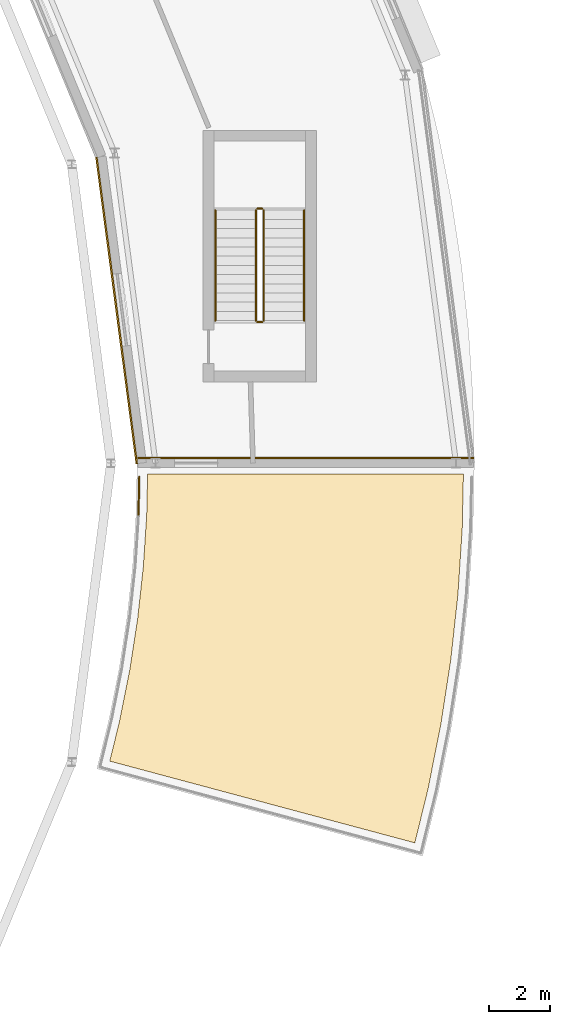
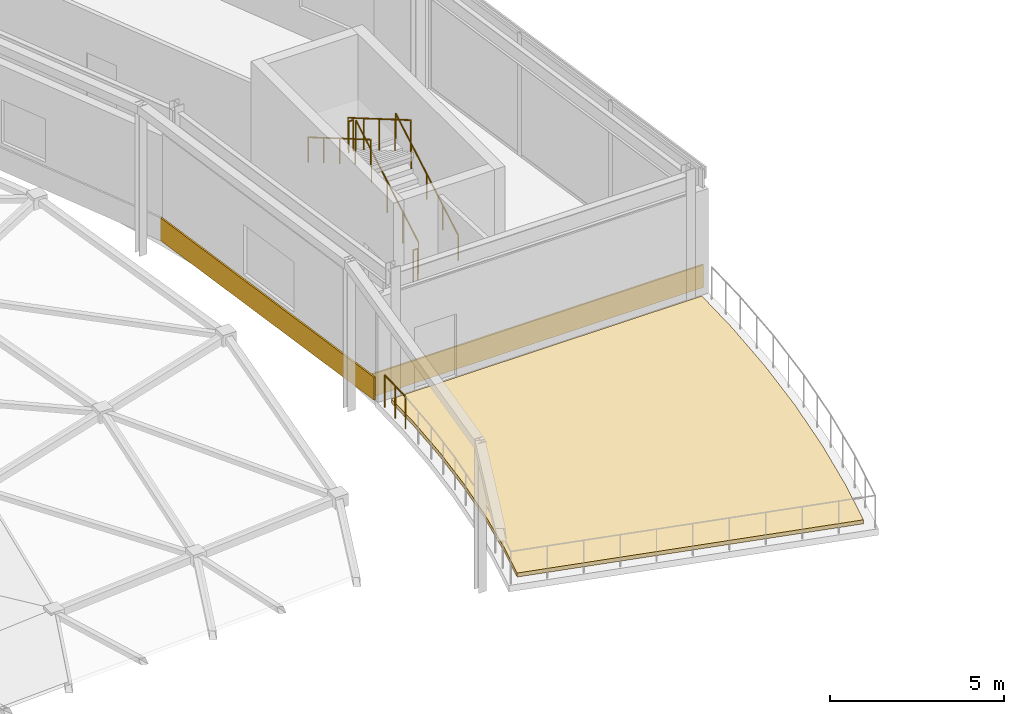
# One storey, part 77 of 89: 7 railings, 3 coverings.
"""IFC4 building model written with IfcOpenShell, lengths in metres."""

import ifcopenshell
import ifcopenshell.guid

model = None  # the IFC model being written
_history = None  # IfcOwnerHistory: only IFC2X3 demands one
_inside = {}  # id of a spatial element -> (the spatial element, [elements in it])
_under = {}  # id of a project, library or spatial element -> (it, [spatial elements below it])
_declared = {}  # id of a project -> (the project, [libraries it declares])
_typed = {}  # id of a type object -> (the type object, [elements of that type])
_made_of = {}  # id of a material, layer set ... -> (it, [elements and type objects made of it])


def new_model(schema):
    """Start an empty IFC model of exactly this schema.

    Asked for "IFC4X3", IfcOpenShell would pick the latest addendum, in which some entities
    have other attributes; the version numbers below select the first issue.
    IFC2X3 requires an IfcOwnerHistory on every rooted entity: one is made here for all.
    """
    global model, _history
    if schema == "IFC4X3":
        model = ifcopenshell.file(schema_version=(4, 3, 0, 0))
    else:
        model = ifcopenshell.file(schema=schema)
    _inside.clear()
    _under.clear()
    _declared.clear()
    _typed.clear()
    _made_of.clear()
    _history = None
    if model.schema == "IFC2X3":
        org = make("IfcOrganization", Name="unknown")
        user = make(
            "IfcPersonAndOrganization",
            ThePerson=make("IfcPerson", FamilyName="unknown"),
            TheOrganization=org,
        )
        app = make(
            "IfcApplication",
            ApplicationDeveloper=org,
            Version="unknown",
            ApplicationFullName="unknown",
            ApplicationIdentifier="unknown",
        )
        _history = make(
            "IfcOwnerHistory",
            OwningUser=user,
            OwningApplication=app,
            ChangeAction="ADDED",
            CreationDate=0,
        )
    return model


def make(cls, **values):
    """One entity of the class cls with the attributes given. An attribute that is None is left unset."""
    return model.create_entity(
        cls, **{name: value for name, value in values.items() if value is not None}
    )


def rooted(cls, **values):
    """An entity with a GlobalId (a new one), such as an element, a storey or a relation."""
    return make(cls, GlobalId=ifcopenshell.guid.new(), OwnerHistory=_history, **values)


def si_unit(unit_type, name, prefix=None):
    """IfcSIUnit, for example si_unit("LENGTHUNIT", "METRE", prefix="MILLI")."""
    return make("IfcSIUnit", UnitType=unit_type, Prefix=prefix, Name=name)


def assignment(units):
    """IfcUnitAssignment: the units of a project."""
    return None if units is None else make("IfcUnitAssignment", Units=units)


def point(xyz):
    """IfcCartesianPoint."""
    return None if xyz is None else make("IfcCartesianPoint", Coordinates=xyz)


def direction(xyz):
    """IfcDirection."""
    return None if xyz is None else make("IfcDirection", DirectionRatios=xyz)


def frame(location, z_axis=None, x_axis=None):
    """IfcAxis2Placement3D, a coordinate frame: its origin and axes. An axis left out is left unset."""
    return make(
        "IfcAxis2Placement3D",
        Location=point(location),
        Axis=direction(z_axis),
        RefDirection=direction(x_axis),
    )


def frame_2d(location, x_axis=None):
    """IfcAxis2Placement2D, a coordinate frame in the plane: its origin and x axis."""
    return make(
        "IfcAxis2Placement2D", Location=point(location), RefDirection=direction(x_axis)
    )


def origin():
    """The frame at (0, 0, 0) with its axes left unset."""
    return frame((0.0, 0.0, 0.0))


def origin_2d():
    """The frame at (0, 0) in the plane with its x axis left unset."""
    return frame_2d((0.0, 0.0))


def place(relative_to, where):
    """IfcLocalPlacement: puts the frame where relative to a parent placement (None: the world)."""
    return make(
        "IfcLocalPlacement", PlacementRelTo=relative_to, RelativePlacement=where
    )


def context(
    kind, dimensions, precision=None, world=None, true_north=None, identifier=None
):
    """IfcGeometricRepresentationContext, for example the 3D "Model" context."""
    return make(
        "IfcGeometricRepresentationContext",
        ContextIdentifier=identifier,
        ContextType=kind,
        CoordinateSpaceDimension=dimensions,
        Precision=precision,
        WorldCoordinateSystem=world,
        TrueNorth=true_north,
    )


def subcontext(parent, identifier, kind, view, scale=None):
    """IfcGeometricRepresentationSubContext, for example "Body" below "Model"."""
    return make(
        "IfcGeometricRepresentationSubContext",
        ContextIdentifier=identifier,
        ContextType=kind,
        ParentContext=parent,
        TargetScale=scale,
        TargetView=view,
    )


def project(units=None, contexts=None):
    """IfcProject with its units and contexts."""
    return rooted(
        "IfcProject",
        Name="project",
        RepresentationContexts=contexts,
        UnitsInContext=assignment(units),
    )


def spatial(cls, under=None, at=None, **own):
    """A site, building, storey or space (cls), placed at a placement, below another one or the project."""
    s = rooted(cls, ObjectPlacement=at, **own)
    if under is not None:
        _under.setdefault(under.id(), (under, []))[1].append(s)
    return s


def polyline(points):
    """IfcPolyline through the points."""
    return make("IfcPolyline", Points=[point(p) for p in points])


def profile(cls, at=None, kind="AREA", **sizes):
    """A parametric profile (cls). Its sizes go by their IFC names, for example OverallWidth=200.0."""
    return make(cls, ProfileType=kind, Position=at, **sizes)


def rectangle(**sizes):
    """IfcRectangleProfileDef."""
    return profile("IfcRectangleProfileDef", **sizes)


def circle(**sizes):
    """IfcCircleProfileDef."""
    return profile("IfcCircleProfileDef", **sizes)


def outline(outer, holes=None, kind="AREA"):
    """IfcArbitraryClosedProfileDef: a profile drawn as a closed curve; with holes, ...WithVoids."""
    if holes is None:
        return make("IfcArbitraryClosedProfileDef", ProfileType=kind, OuterCurve=outer)
    return make(
        "IfcArbitraryProfileDefWithVoids",
        ProfileType=kind,
        OuterCurve=outer,
        InnerCurves=holes,
    )


def extrude(swept, where, along, depth):
    """IfcExtrudedAreaSolid: the profile swept, set in the frame where, extruded along a direction by depth."""
    return make(
        "IfcExtrudedAreaSolid",
        SweptArea=swept,
        Position=where,
        ExtrudedDirection=direction(along),
        Depth=depth,
    )


def shape(context_of_items, identifier, shape_type, items):
    """IfcShapeRepresentation: the items that make up one representation, for example the "Body"."""
    return make(
        "IfcShapeRepresentation",
        ContextOfItems=context_of_items,
        RepresentationIdentifier=identifier,
        RepresentationType=shape_type,
        Items=items,
    )


def material(Name=None, Category=None):
    """IfcMaterial."""
    return make("IfcMaterial", Name=Name, Category=Category)


def layer(
    of_material, thickness, ventilated=None, Name=None, Category=None, Priority=None
):
    """IfcMaterialLayer: one layer of a wall or slab, of a material (None: an air gap)."""
    return make(
        "IfcMaterialLayer",
        Material=of_material,
        LayerThickness=thickness,
        IsVentilated=ventilated,
        Name=Name,
        Category=Category,
        Priority=Priority,
    )


def layer_set(layers, Name=None):
    """IfcMaterialLayerSet."""
    return make("IfcMaterialLayerSet", MaterialLayers=layers, LayerSetName=Name)


def made_of(thing, what):
    """Note that an element or type object is made of a material, layer set ...; save() writes the relation."""
    if what is not None:
        _made_of.setdefault(what.id(), (what, []))[1].append(thing)
    return thing


def type_object(cls, material=None, **own):
    """A type object (cls), such as IfcWallType, which elements share."""
    return made_of(rooted(cls, **own), material)


def element(
    cls,
    number,
    at=None,
    inside=None,
    cuts=None,
    type_object=None,
    material=None,
    context=None,
    identifier="Body",
    shape_type=None,
    held_by="IfcProductDefinitionShape",
    body=None,
    shapes=None,
    **own,
):
    """One element of the class cls, such as IfcWall. Its Tag is "e" and its number.

    at: its placement. inside: the storey or other place that contains it. cuts: it is an
    opening in that element (IfcRelVoidsElement). A single representation is given by context,
    identifier, shape_type and body (its items); several are given by shapes. held_by: the class
    of the entity that holds the representations. save() writes the other relations.
    """
    e = rooted(cls, Tag="e%d" % number, ObjectPlacement=at, **own)
    if body is not None:
        shapes = [shape(context, identifier, shape_type, body)]
    if shapes is not None:
        e.Representation = make(held_by, Representations=shapes)
    if inside is not None:
        _inside.setdefault(inside.id(), (inside, []))[1].append(e)
    if cuts is not None:
        rooted(
            "IfcRelVoidsElement", RelatingBuildingElement=cuts, RelatedOpeningElement=e
        )
    if type_object is not None:
        _typed.setdefault(type_object.id(), (type_object, []))[1].append(e)
    return made_of(e, material)


def aggregate(whole, parts):
    """IfcRelAggregates: a whole, such as a stair, and the parts it consists of."""
    return rooted("IfcRelAggregates", RelatingObject=whole, RelatedObjects=parts)


def save(model, path):
    """Write the relations noted so far, then the file.

    IfcRelAggregates (storeys below a building ...), IfcRelContainedInSpatialStructure (elements
    in a storey), IfcRelDefinesByType, IfcRelAssociatesMaterial and IfcRelDeclares: one each for
    every whole, place, type object, material and project.
    """
    for whole, parts in _under.values():
        aggregate(whole, parts)
    for where, things in _inside.values():
        rooted(
            "IfcRelContainedInSpatialStructure",
            RelatedElements=things,
            RelatingStructure=where,
        )
    for kind, things in _typed.values():
        rooted("IfcRelDefinesByType", RelatedObjects=things, RelatingType=kind)
    for what, things in _made_of.values():
        rooted("IfcRelAssociatesMaterial", RelatedObjects=things, RelatingMaterial=what)
    for by, libraries in _declared.values():
        rooted("IfcRelDeclares", RelatingContext=by, RelatedDefinitions=libraries)
    model.write(path)


model = new_model("IFC4")

# Units and contexts
model_context = context("Model", 3, precision=1e-05, world=origin(), true_north=direction((0.0, 1.0)))
body_context = subcontext(model_context, "Body", "Model", "MODEL_VIEW")
ifc_project = project(units=[si_unit("LENGTHUNIT", "METRE"), si_unit("AREAUNIT", "SQUARE_METRE"), si_unit("VOLUMEUNIT", "CUBIC_METRE"), si_unit("PLANEANGLEUNIT", "RADIAN"), si_unit("MASSUNIT", "GRAM", prefix="KILO")], contexts=[model_context])

# Site, building, storey
site_placement = place(None, origin())
site = spatial("IfcSite", under=ifc_project, at=site_placement, CompositionType="ELEMENT")
building_placement = place(site_placement, origin())
building = spatial("IfcBuilding", under=site, at=building_placement, Name="Almandine Court Research Institute", CompositionType="ELEMENT")
storey_placement = place(building_placement, frame((0.0, 0.0, 18.89990234375)))
storey = spatial("IfcBuildingStorey", under=building, at=storey_placement, Name="L04", CompositionType="ELEMENT", Elevation=18.89990234375)

# Coverings
ifc_material_1 = material(Name="Extruded Cream-Ochre Seismic Terracotta Spandrel", Category="masonry")
ifc_layer_1 = layer(ifc_material_1, 0.054931640625)
ifc_layer_set_1 = layer_set([ifc_layer_1], Name="Extruded Cream-Ochre Seismic Terracotta Spandrel")
covering_type_1 = type_object("IfcCoveringType", Name="Cov-CLAD-TERR", PredefinedType="CLADDING", material=ifc_layer_set_1)
covering_1_placement = place(storey_placement, frame((124.83203125, 60.98095703125, 0.02001953125), z_axis=(0.0, 0.0, 1.0), x_axis=(-0.13052619222, 0.991444861374, 0.0)))
element("IfcCovering", 1, at=covering_1_placement, inside=storey, type_object=covering_type_1, Name="L04 Facade Spandrel Cladding Band 403", PredefinedType="CLADDING", context=body_context, shape_type="SweptSolid", body=[
    extrude(rectangle(XDim=10.080078125, YDim=0.054931640625, at=origin_2d()), origin(), (0.0, 0.0, 1.0), 0.800048828125),
])
covering_2_placement = place(storey_placement, frame((131.0, 56.169921875, 0.02001953125), z_axis=(0.0, 0.0, 1.0), x_axis=(1.0, 0.0, 0.0)))
element("IfcCovering", 2, at=covering_2_placement, inside=storey, type_object=covering_type_1, Name="L04 Facade Spandrel Cladding Band 424", PredefinedType="CLADDING", context=body_context, shape_type="SweptSolid", body=[
    extrude(rectangle(XDim=10.951904296875, YDim=0.054931640625, at=origin_2d()), origin(), (0.0, 0.0, 1.0), 0.800048828125),
])
ifc_material_2 = material(Name="Extensive Andean Sedum Planted Green Roof Build-Up")
ifc_layer_2 = layer(ifc_material_2, 0.139892578125)
ifc_layer_set_2 = layer_set([ifc_layer_2], Name="Extensive Andean Sedum Planted Green Roof Build-Up")
covering_type_2 = type_object("IfcCoveringType", Name="Cov-ROOF-GREEN", PredefinedType="ROOFING", material=ifc_layer_set_2)
covering_3_placement = place(storey_placement, origin())
element("IfcCovering", 3, at=covering_3_placement, inside=storey, type_object=covering_type_2, Name="L04 Planted Green Roof Covering 16", PredefinedType="ROOFING", context=body_context, shape_type="SweptSolid", body=[
    extrude(outline(polyline([(134.55810546875, 43.618896484375), (124.60888671875, 46.283935546875), (124.928955078125, 47.591064453125), (125.260009765625, 49.25390625), (125.51806640625, 50.928955078125), (125.701904296875, 52.614990234375), (125.81298828125, 54.305908203125), (125.842041015625, 55.64990234375), (136.14208984375, 55.64990234375), (136.10302734375, 53.85595703125), (135.962890625, 51.716064453125), (135.72998046875, 49.5849609375), (135.403076171875, 47.465087890625), (134.985107421875, 45.362060546875), (134.55810546875, 43.618896484375)])), origin(), (0.0, 0.0, 1.0), 0.14013671875),
])

# Railings
ifc_material_3 = material(Name="Architectural Powder-Coated Aluminium Balustrade", Category="aluminium")
railing_type_1 = type_object("IfcRailingType", Name="Rail-BAL-EXT", PredefinedType="BALUSTRADE", material=ifc_material_3)
railing_1_placement = place(storey_placement, frame((125.54296875, 54.31689453125, 0.0)))
element("IfcRailing", 4, at=railing_1_placement, inside=storey, type_object=railing_type_1, Name="L04 Terrace Perimeter Balustrade 120", PredefinedType="BALUSTRADE", context=body_context, shape_type="SweptSolid", body=[
    extrude(circle(Radius=0.02392578125, at=origin_2d()), frame((0.0, 0.0, 1.1259765625), z_axis=(0.021970541805, 0.999758618514, 0.0), x_axis=(-0.999758618514, 0.021970541805, 0.0)), (0.0, 0.0, 1.0), 1.2333984375),
    extrude(circle(Radius=0.02099609375, at=origin_2d()), origin(), (0.0, 0.0, 1.0), 1.101806640625),
    extrude(circle(Radius=0.02099609375, at=origin_2d()), frame((0.013671875, 0.61669921875, 0.0)), (0.0, 0.0, 1.0), 1.101806640625),
    extrude(circle(Radius=0.02099609375, at=origin_2d()), frame((0.027099609375, 1.233154296875, 0.0)), (0.0, 0.0, 1.0), 1.101806640625),
])
ifc_material_4 = material(Name="Powder-Coated Steel Stair and Atrium Balustrade", Category="steel")
railing_type_2 = type_object("IfcRailingType", Name="Rail-GUARD-INT", PredefinedType="BALUSTRADE", material=ifc_material_4)
railing_2_placement = place(storey_placement, frame((129.6298828125, 60.64990234375, 0.175048828125)))
element("IfcRailing", 5, at=railing_2_placement, inside=storey, type_object=railing_type_2, Name="L04 ST-14 stair guard 1", PredefinedType="BALUSTRADE", context=body_context, shape_type="SweptSolid", body=[
    extrude(circle(Radius=0.02392578125, at=origin_2d()), frame((0.0, 0.0, 1.09619140625), z_axis=(0.0, 0.863774651768, 0.503878309678), x_axis=(-1.0, 0.0, 0.0)), (0.0, 0.0, 1.0), 4.16796875),
    extrude(circle(Radius=0.02099609375, at=origin_2d()), origin(), (0.0, 0.0, 1.0), 1.072021484375),
    extrude(circle(Radius=0.02099609375, at=origin_2d()), frame((0.0, 0.89990234375, 0.52490234375)), (0.0, 0.0, 1.0), 1.072021484375),
    extrude(circle(Radius=0.02099609375, at=origin_2d()), frame((0.0, 1.800048828125, 1.050048828125)), (0.0, 0.0, 1.0), 1.072021484375),
    extrude(circle(Radius=0.02099609375, at=origin_2d()), frame((0.0, 2.7001953125, 1.5751953125)), (0.0, 0.0, 1.0), 1.072021484375),
    extrude(circle(Radius=0.02099609375, at=origin_2d()), frame((0.0, 3.60009765625, 2.10009765625)), (0.0, 0.0, 1.0), 1.072021484375),
])
railing_3_placement = place(storey_placement, frame((129.580078125, 64.300048828125, 2.275146484375)))
element("IfcRailing", 6, at=railing_3_placement, inside=storey, type_object=railing_type_2, Name="L04 ST-14 stair guard 2", PredefinedType="BALUSTRADE", context=body_context, shape_type="SweptSolid", body=[
    extrude(circle(Radius=0.02392578125, at=origin_2d()), frame((0.0, 0.0, 1.09619140625), z_axis=(-1.0, 0.0, 0.0), x_axis=(0.0, -1.0, 0.0)), (0.0, 0.0, 1.0), 0.16015625),
    extrude(circle(Radius=0.02099609375, at=origin_2d()), origin(), (0.0, 0.0, 1.0), 1.072021484375),
    extrude(circle(Radius=0.02099609375, at=origin_2d()), frame((-0.16015625, 0.0, 0.0)), (0.0, 0.0, 1.0), 1.072021484375),
])
railing_4_placement = place(storey_placement, frame((129.3701171875, 64.25, 2.4501953125)))
element("IfcRailing", 7, at=railing_4_placement, inside=storey, type_object=railing_type_2, Name="L04 ST-14 stair guard 3", PredefinedType="BALUSTRADE", context=body_context, shape_type="SweptSolid", body=[
    extrude(circle(Radius=0.02392578125, at=origin_2d()), frame((0.0, 0.0, 1.09619140625), z_axis=(0.0, -0.863800146258, 0.503834603144), x_axis=(1.0, 0.0, 0.0)), (0.0, 0.0, 1.0), 4.167724609375),
    extrude(circle(Radius=0.02099609375, at=origin_2d()), origin(), (0.0, 0.0, 1.0), 1.072021484375),
    extrude(circle(Radius=0.02099609375, at=origin_2d()), frame((0.0, -0.89990234375, 0.52490234375)), (0.0, 0.0, 1.0), 1.072021484375),
    extrude(circle(Radius=0.02099609375, at=origin_2d()), frame((0.0, -1.800048828125, 1.0498046875)), (0.0, 0.0, 1.0), 1.072021484375),
    extrude(circle(Radius=0.02099609375, at=origin_2d()), frame((0.0, -2.7001953125, 1.574951171875)), (0.0, 0.0, 1.0), 1.072021484375),
    extrude(circle(Radius=0.02099609375, at=origin_2d()), frame((0.0, -3.60009765625, 2.099853515625)), (0.0, 0.0, 1.0), 1.072021484375),
])
railing_5_placement = place(storey_placement, frame((129.580078125, 60.60009765625, 0.0)))
element("IfcRailing", 8, at=railing_5_placement, inside=storey, type_object=railing_type_2, Name="L04 ST-14 stair guard 4", PredefinedType="BALUSTRADE", context=body_context, shape_type="SweptSolid", body=[
    extrude(circle(Radius=0.02392578125, at=origin_2d()), frame((0.0, 0.0, 1.09619140625), z_axis=(-1.0, 0.0, 0.0), x_axis=(0.0, -1.0, 0.0)), (0.0, 0.0, 1.0), 0.16015625),
    extrude(circle(Radius=0.02099609375, at=origin_2d()), origin(), (0.0, 0.0, 1.0), 1.072021484375),
    extrude(circle(Radius=0.02099609375, at=origin_2d()), frame((-0.16015625, 0.0, 0.0)), (0.0, 0.0, 1.0), 1.072021484375),
])
ifc_material_5 = material(Name="Brushed Stainless Steel Wall Handrail", Category="steel")
railing_type_3 = type_object("IfcRailingType", Name="Rail-HAND-INT", PredefinedType="HANDRAIL", material=ifc_material_5)
railing_6_placement = place(storey_placement, frame((130.949951171875, 60.64990234375, 0.175048828125)))
element("IfcRailing", 9, at=railing_6_placement, inside=storey, type_object=railing_type_3, Name="L04 ST-14 stair handrail 1", PredefinedType="HANDRAIL", context=body_context, shape_type="SweptSolid", body=[
    extrude(circle(Radius=0.02392578125, at=origin_2d()), frame((0.0, 0.0, 0.8759765625), z_axis=(0.0, 0.863774651768, 0.503878309678), x_axis=(-1.0, 0.0, 0.0)), (0.0, 0.0, 1.0), 4.16796875),
    extrude(circle(Radius=0.02099609375, at=origin_2d()), origin(), (0.0, 0.0, 1.0), 0.851806640625),
    extrude(circle(Radius=0.02099609375, at=origin_2d()), frame((0.0, 0.89990234375, 0.52490234375)), (0.0, 0.0, 1.0), 0.851806640625),
    extrude(circle(Radius=0.02099609375, at=origin_2d()), frame((0.0, 1.800048828125, 1.050048828125)), (0.0, 0.0, 1.0), 0.851806640625),
    extrude(circle(Radius=0.02099609375, at=origin_2d()), frame((0.0, 2.7001953125, 1.5751953125)), (0.0, 0.0, 1.0), 0.851806640625),
    extrude(circle(Radius=0.02099609375, at=origin_2d()), frame((0.0, 3.60009765625, 2.10009765625)), (0.0, 0.0, 1.0), 0.851806640625),
])
railing_7_placement = place(storey_placement, frame((128.050048828125, 64.25, 2.4501953125)))
element("IfcRailing", 10, at=railing_7_placement, inside=storey, type_object=railing_type_3, Name="L04 ST-14 stair handrail 2", PredefinedType="HANDRAIL", context=body_context, shape_type="SweptSolid", body=[
    extrude(circle(Radius=0.02392578125, at=origin_2d()), frame((0.0, 0.0, 0.8759765625), z_axis=(0.0, -0.863800146258, 0.503834603144), x_axis=(1.0, 0.0, 0.0)), (0.0, 0.0, 1.0), 4.167724609375),
    extrude(circle(Radius=0.02099609375, at=origin_2d()), origin(), (0.0, 0.0, 1.0), 0.851806640625),
    extrude(circle(Radius=0.02099609375, at=origin_2d()), frame((0.0, -0.89990234375, 0.52490234375)), (0.0, 0.0, 1.0), 0.851806640625),
    extrude(circle(Radius=0.02099609375, at=origin_2d()), frame((0.0, -1.800048828125, 1.0498046875)), (0.0, 0.0, 1.0), 0.851806640625),
    extrude(circle(Radius=0.02099609375, at=origin_2d()), frame((0.0, -2.7001953125, 1.574951171875)), (0.0, 0.0, 1.0), 0.851806640625),
    extrude(circle(Radius=0.02099609375, at=origin_2d()), frame((0.0, -3.60009765625, 2.099853515625)), (0.0, 0.0, 1.0), 0.851806640625),
])

save(model, "model.ifc")
